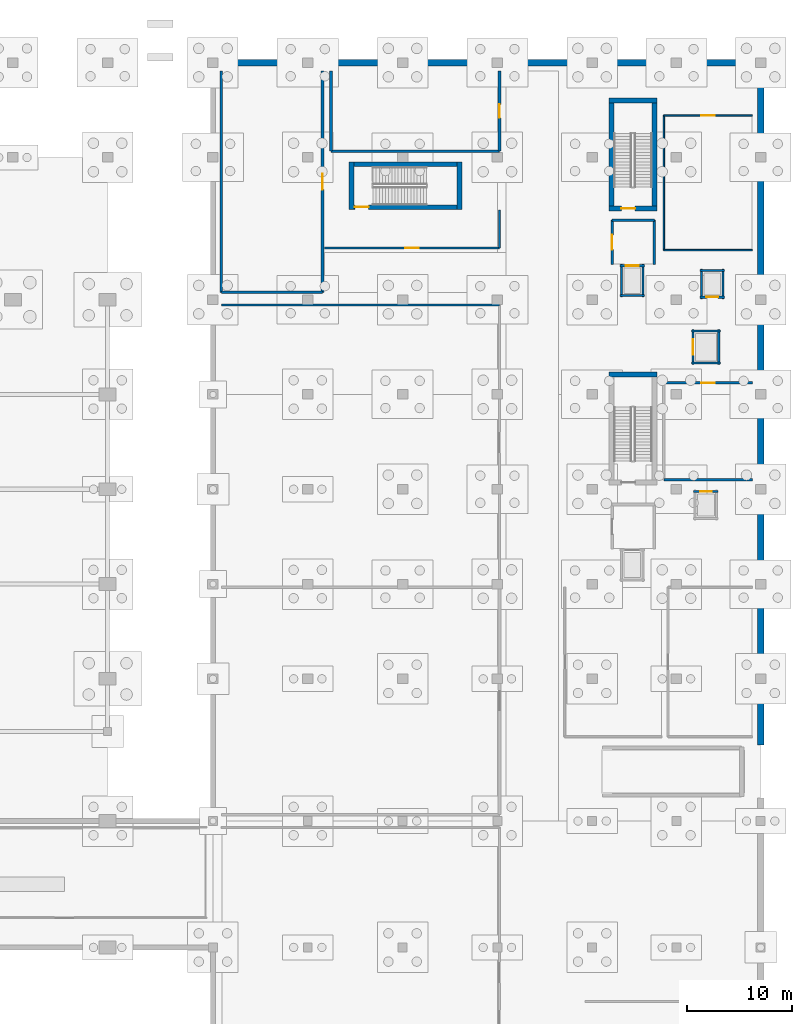
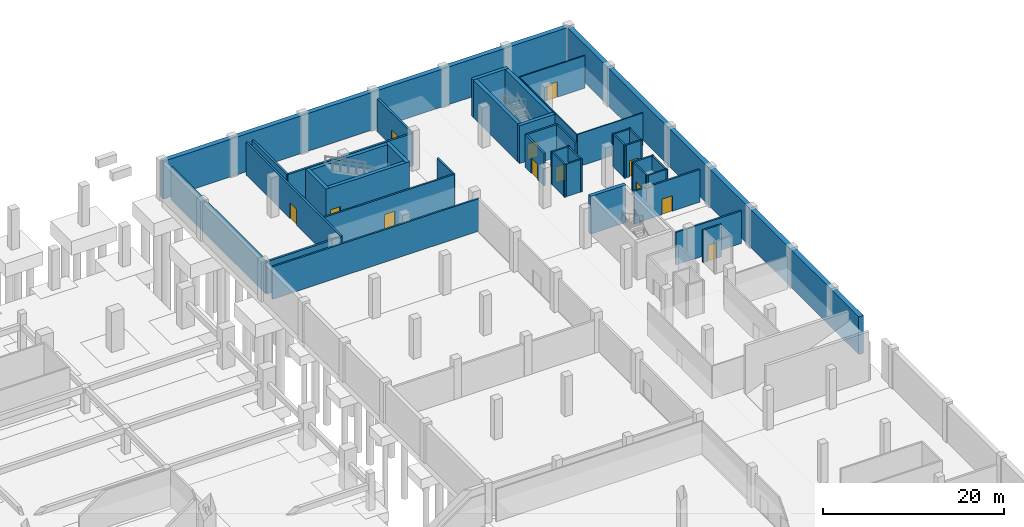
# One storey, part 16 of 26: 41 walls, 12 doors, 12 openings.
"""IFC4 building model written with IfcOpenShell, lengths in metres."""

import ifcopenshell
import ifcopenshell.guid

model = None  # the IFC model being written
_history = None  # IfcOwnerHistory: only IFC2X3 demands one
_inside = {}  # id of a spatial element -> (the spatial element, [elements in it])
_under = {}  # id of a project, library or spatial element -> (it, [spatial elements below it])
_declared = {}  # id of a project -> (the project, [libraries it declares])
_typed = {}  # id of a type object -> (the type object, [elements of that type])
_made_of = {}  # id of a material, layer set ... -> (it, [elements and type objects made of it])


def new_model(schema):
    """Start an empty IFC model of exactly this schema.

    Asked for "IFC4X3", IfcOpenShell would pick the latest addendum, in which some entities
    have other attributes; the version numbers below select the first issue.
    IFC2X3 requires an IfcOwnerHistory on every rooted entity: one is made here for all.
    """
    global model, _history
    if schema == "IFC4X3":
        model = ifcopenshell.file(schema_version=(4, 3, 0, 0))
    else:
        model = ifcopenshell.file(schema=schema)
    _inside.clear()
    _under.clear()
    _declared.clear()
    _typed.clear()
    _made_of.clear()
    _history = None
    if model.schema == "IFC2X3":
        org = make("IfcOrganization", Name="unknown")
        user = make(
            "IfcPersonAndOrganization",
            ThePerson=make("IfcPerson", FamilyName="unknown"),
            TheOrganization=org,
        )
        app = make(
            "IfcApplication",
            ApplicationDeveloper=org,
            Version="unknown",
            ApplicationFullName="unknown",
            ApplicationIdentifier="unknown",
        )
        _history = make(
            "IfcOwnerHistory",
            OwningUser=user,
            OwningApplication=app,
            ChangeAction="ADDED",
            CreationDate=0,
        )
    return model


def make(cls, **values):
    """One entity of the class cls with the attributes given. An attribute that is None is left unset."""
    return model.create_entity(
        cls, **{name: value for name, value in values.items() if value is not None}
    )


def rooted(cls, **values):
    """An entity with a GlobalId (a new one), such as an element, a storey or a relation."""
    return make(cls, GlobalId=ifcopenshell.guid.new(), OwnerHistory=_history, **values)


def si_unit(unit_type, name, prefix=None):
    """IfcSIUnit, for example si_unit("LENGTHUNIT", "METRE", prefix="MILLI")."""
    return make("IfcSIUnit", UnitType=unit_type, Prefix=prefix, Name=name)


def assignment(units):
    """IfcUnitAssignment: the units of a project."""
    return None if units is None else make("IfcUnitAssignment", Units=units)


def point(xyz):
    """IfcCartesianPoint."""
    return None if xyz is None else make("IfcCartesianPoint", Coordinates=xyz)


def direction(xyz):
    """IfcDirection."""
    return None if xyz is None else make("IfcDirection", DirectionRatios=xyz)


def frame(location, z_axis=None, x_axis=None):
    """IfcAxis2Placement3D, a coordinate frame: its origin and axes. An axis left out is left unset."""
    return make(
        "IfcAxis2Placement3D",
        Location=point(location),
        Axis=direction(z_axis),
        RefDirection=direction(x_axis),
    )


def frame_2d(location, x_axis=None):
    """IfcAxis2Placement2D, a coordinate frame in the plane: its origin and x axis."""
    return make(
        "IfcAxis2Placement2D", Location=point(location), RefDirection=direction(x_axis)
    )


def origin():
    """The frame at (0, 0, 0) with its axes left unset."""
    return frame((0.0, 0.0, 0.0))


def place(relative_to, where):
    """IfcLocalPlacement: puts the frame where relative to a parent placement (None: the world)."""
    return make(
        "IfcLocalPlacement", PlacementRelTo=relative_to, RelativePlacement=where
    )


def context(
    kind, dimensions, precision=None, world=None, true_north=None, identifier=None
):
    """IfcGeometricRepresentationContext, for example the 3D "Model" context."""
    return make(
        "IfcGeometricRepresentationContext",
        ContextIdentifier=identifier,
        ContextType=kind,
        CoordinateSpaceDimension=dimensions,
        Precision=precision,
        WorldCoordinateSystem=world,
        TrueNorth=true_north,
    )


def subcontext(parent, identifier, kind, view, scale=None):
    """IfcGeometricRepresentationSubContext, for example "Body" below "Model"."""
    return make(
        "IfcGeometricRepresentationSubContext",
        ContextIdentifier=identifier,
        ContextType=kind,
        ParentContext=parent,
        TargetScale=scale,
        TargetView=view,
    )


def project(units=None, contexts=None):
    """IfcProject with its units and contexts."""
    return rooted(
        "IfcProject",
        Name="project",
        RepresentationContexts=contexts,
        UnitsInContext=assignment(units),
    )


def spatial(cls, under=None, at=None, **own):
    """A site, building, storey or space (cls), placed at a placement, below another one or the project."""
    s = rooted(cls, ObjectPlacement=at, **own)
    if under is not None:
        _under.setdefault(under.id(), (under, []))[1].append(s)
    return s


def profile(cls, at=None, kind="AREA", **sizes):
    """A parametric profile (cls). Its sizes go by their IFC names, for example OverallWidth=200.0."""
    return make(cls, ProfileType=kind, Position=at, **sizes)


def rectangle(**sizes):
    """IfcRectangleProfileDef."""
    return profile("IfcRectangleProfileDef", **sizes)


def extrude(swept, where, along, depth):
    """IfcExtrudedAreaSolid: the profile swept, set in the frame where, extruded along a direction by depth."""
    return make(
        "IfcExtrudedAreaSolid",
        SweptArea=swept,
        Position=where,
        ExtrudedDirection=direction(along),
        Depth=depth,
    )


def shape(context_of_items, identifier, shape_type, items):
    """IfcShapeRepresentation: the items that make up one representation, for example the "Body"."""
    return make(
        "IfcShapeRepresentation",
        ContextOfItems=context_of_items,
        RepresentationIdentifier=identifier,
        RepresentationType=shape_type,
        Items=items,
    )


def material(Name=None, Category=None):
    """IfcMaterial."""
    return make("IfcMaterial", Name=Name, Category=Category)


def layer(
    of_material, thickness, ventilated=None, Name=None, Category=None, Priority=None
):
    """IfcMaterialLayer: one layer of a wall or slab, of a material (None: an air gap)."""
    return make(
        "IfcMaterialLayer",
        Material=of_material,
        LayerThickness=thickness,
        IsVentilated=ventilated,
        Name=Name,
        Category=Category,
        Priority=Priority,
    )


def layer_set(layers, Name=None):
    """IfcMaterialLayerSet."""
    return make("IfcMaterialLayerSet", MaterialLayers=layers, LayerSetName=Name)


def made_of(thing, what):
    """Note that an element or type object is made of a material, layer set ...; save() writes the relation."""
    if what is not None:
        _made_of.setdefault(what.id(), (what, []))[1].append(thing)
    return thing


def type_object(cls, material=None, **own):
    """A type object (cls), such as IfcWallType, which elements share."""
    return made_of(rooted(cls, **own), material)


def element(
    cls,
    number,
    at=None,
    inside=None,
    cuts=None,
    type_object=None,
    material=None,
    context=None,
    identifier="Body",
    shape_type=None,
    held_by="IfcProductDefinitionShape",
    body=None,
    shapes=None,
    **own,
):
    """One element of the class cls, such as IfcWall. Its Tag is "e" and its number.

    at: its placement. inside: the storey or other place that contains it. cuts: it is an
    opening in that element (IfcRelVoidsElement). A single representation is given by context,
    identifier, shape_type and body (its items); several are given by shapes. held_by: the class
    of the entity that holds the representations. save() writes the other relations.
    """
    e = rooted(cls, Tag="e%d" % number, ObjectPlacement=at, **own)
    if body is not None:
        shapes = [shape(context, identifier, shape_type, body)]
    if shapes is not None:
        e.Representation = make(held_by, Representations=shapes)
    if inside is not None:
        _inside.setdefault(inside.id(), (inside, []))[1].append(e)
    if cuts is not None:
        rooted(
            "IfcRelVoidsElement", RelatingBuildingElement=cuts, RelatedOpeningElement=e
        )
    if type_object is not None:
        _typed.setdefault(type_object.id(), (type_object, []))[1].append(e)
    return made_of(e, material)


def fill(opening, filler):
    """IfcRelFillsElement: the door or window that sits in an opening."""
    return rooted(
        "IfcRelFillsElement",
        RelatingOpeningElement=opening,
        RelatedBuildingElement=filler,
    )


def aggregate(whole, parts):
    """IfcRelAggregates: a whole, such as a stair, and the parts it consists of."""
    return rooted("IfcRelAggregates", RelatingObject=whole, RelatedObjects=parts)


def save(model, path):
    """Write the relations noted so far, then the file.

    IfcRelAggregates (storeys below a building ...), IfcRelContainedInSpatialStructure (elements
    in a storey), IfcRelDefinesByType, IfcRelAssociatesMaterial and IfcRelDeclares: one each for
    every whole, place, type object, material and project.
    """
    for whole, parts in _under.values():
        aggregate(whole, parts)
    for where, things in _inside.values():
        rooted(
            "IfcRelContainedInSpatialStructure",
            RelatedElements=things,
            RelatingStructure=where,
        )
    for kind, things in _typed.values():
        rooted("IfcRelDefinesByType", RelatedObjects=things, RelatingType=kind)
    for what, things in _made_of.values():
        rooted("IfcRelAssociatesMaterial", RelatedObjects=things, RelatingMaterial=what)
    for by, libraries in _declared.values():
        rooted("IfcRelDeclares", RelatingContext=by, RelatedDefinitions=libraries)
    model.write(path)


model = new_model("IFC4")

# Units and contexts
model_context = context("Model", 3, precision=1e-05, world=origin(), true_north=direction((0.0, 1.0)))
body_context = subcontext(model_context, "Body", "Model", "MODEL_VIEW")
ifc_project = project(units=[si_unit("LENGTHUNIT", "METRE"), si_unit("AREAUNIT", "SQUARE_METRE"), si_unit("VOLUMEUNIT", "CUBIC_METRE"), si_unit("PLANEANGLEUNIT", "RADIAN"), si_unit("MASSUNIT", "GRAM", prefix="KILO")], contexts=[model_context])

# Site, building, storey
site_placement = place(None, origin())
site = spatial("IfcSite", under=ifc_project, at=site_placement, CompositionType="ELEMENT")
building_placement = place(site_placement, origin())
building = spatial("IfcBuilding", under=site, at=building_placement, Name="Chuanluo Vaults Station", CompositionType="ELEMENT")
storey_placement = place(building_placement, frame((0.0, 0.0, -5.39990234375)))
storey = spatial("IfcBuildingStorey", under=building, at=storey_placement, Name="B1", CompositionType="ELEMENT", Elevation=-5.39990234375)

# Walls
ifc_material_1 = material(Name="Concrete C50", Category="concrete")
ifc_layer_1 = layer(ifc_material_1, 0.449951171875)
ifc_layer_set_1 = layer_set([ifc_layer_1], Name="Concrete C50")
wall_type_1 = type_object("IfcWallType", Name="WL-COR-450", PredefinedType="SHEAR", material=ifc_layer_set_1)
wall_1_placement = place(storey_placement, frame((178.137451171875, 96.3974609375, 0.0), z_axis=(0.0, 0.0, 1.0), x_axis=(-1.0, 0.0, 0.0)))
element("IfcWall", 1, at=wall_1_placement, inside=storey, type_object=wall_type_1, Name="Core K1 far shear wall", PredefinedType="SHEAR", context=body_context, shape_type="SweptSolid", body=[
    extrude(rectangle(XDim=4.52001953125, YDim=0.449951171875, at=frame_2d((2.260009765625, 0.0))), origin(), (0.0, 0.0, 1.0), 5.099853515625),
])
for number, where, z_axis, x_axis, name in (
    (2, (177.91259765625, 111.925048828125, 0.0), (0.0, 0.0, 1.0), (0.0, 1.0, 0.0), "Core K2 left shear wall"),
    (3, (173.842529296875, 122.62255859375, 0.0), (0.0, 0.0, 1.0), (0.0, -1.0, 0.0), "Core K2 right shear wall"),
):
    element("IfcWall", number, at=place(storey_placement, frame(where, z_axis=z_axis, x_axis=x_axis)), inside=storey, type_object=wall_type_1, Name=name, PredefinedType="SHEAR", context=body_context, shape_type="SweptSolid", body=[
        extrude(rectangle(XDim=10.697509765625, YDim=0.449951171875, at=frame_2d((5.3486328125, 0.0))), origin(), (0.0, 0.0, 1.0), 5.099853515625),
    ])
wall_2_placement = place(storey_placement, frame((178.137451171875, 122.3974609375, 0.0), z_axis=(0.0, 0.0, 1.0), x_axis=(-1.0, 0.0, 0.0)))
element("IfcWall", 4, at=wall_2_placement, inside=storey, type_object=wall_type_1, Name="Core K2 far shear wall", PredefinedType="SHEAR", context=body_context, shape_type="SweptSolid", body=[
    extrude(rectangle(XDim=4.52001953125, YDim=0.449951171875, at=frame_2d((2.260009765625, 0.0))), origin(), (0.0, 0.0, 1.0), 5.099853515625),
])

# Wall, opening, door
wall_3_placement = place(storey_placement, frame((173.617431640625, 112.14990234375, 0.0), z_axis=(0.0, 0.0, 1.0), x_axis=(1.0, 0.0, 0.0)))
wall_3 = element("IfcWall", 5, at=wall_3_placement, inside=storey, type_object=wall_type_1, Name="Core K2 near shear wall", PredefinedType="SHEAR", context=body_context, shape_type="SweptSolid", body=[
    extrude(rectangle(XDim=4.52001953125, YDim=0.449951171875, at=frame_2d((2.260009765625, 0.0))), origin(), (0.0, 0.0, 1.0), 5.099853515625),
])
opening_1_placement = place(wall_3_placement, frame((1.14990234375, 0.0, 0.0)))
opening_1 = element("IfcOpeningElement", 6, at=opening_1_placement, cuts=wall_3, Name="Opening FD-05", PredefinedType="OPENING", context=body_context, shape_type="SweptSolid", body=[
    extrude(rectangle(XDim=1.300048828125, YDim=2.10009765625, at=frame_2d((0.64990234375, 1.050048828125))), frame((0.0, 0.2351, 0.0), z_axis=(0.0, -1.0, 0.0), x_axis=(1.0, 0.0, 0.0)), (0.0, 0.0, 1.0), 0.46995),
])
ifc_material_2 = material(Name="Fire-rated steel leaf", Category="steel")
door_type_1 = type_object("IfcDoorType", Name="DR-FIR-1300x2100", OperationType="NOTDEFINED", PredefinedType="DOOR", material=ifc_material_2)
door_1_placement = place(opening_1_placement, origin())
door_1 = element("IfcDoor", 7, at=door_1_placement, inside=storey, type_object=door_type_1, Name="D-065 Stair ST-02 fire door", OperationType="SINGLE_SWING_RIGHT", OverallHeight=2.10009765625, OverallWidth=1.300048828125, PredefinedType="DOOR", context=body_context, shape_type="SweptSolid", body=[
    extrude(rectangle(XDim=1.300048828125, YDim=2.10009765625, at=frame_2d((0.64990234375, 1.050048828125))), frame((0.0, 0.02490234375, 0.0), z_axis=(0.0, -1.0, 0.0), x_axis=(1.0, 0.0, 0.0)), (0.0, 0.0, 1.0), 0.050048828125),
])
fill(opening_1, door_1)

wall_4_placement = place(storey_placement, frame((148.925048828125, 112.27490234375, 0.0), z_axis=(0.0, 0.0, 1.0), x_axis=(1.0, 0.0, 0.0)))
wall_4 = element("IfcWall", 8, at=wall_4_placement, inside=storey, type_object=wall_type_1, Name="Core K3 left shear wall", PredefinedType="SHEAR", context=body_context, shape_type="SweptSolid", body=[
    extrude(rectangle(XDim=10.697509765625, YDim=0.449951171875, at=frame_2d((5.3486328125, 0.0))), origin(), (0.0, 0.0, 1.0), 5.099853515625),
])
opening_2_placement = place(wall_4_placement, frame((0.550048828125, 0.0, 0.0)))
opening_2 = element("IfcOpeningElement", 9, at=opening_2_placement, cuts=wall_4, Name="Opening FD-05", PredefinedType="OPENING", context=body_context, shape_type="SweptSolid", body=[
    extrude(rectangle(XDim=1.300048828125, YDim=2.10009765625, at=frame_2d((0.64990234375, 1.050048828125))), frame((0.0, 0.2351, 0.0), z_axis=(0.0, -1.0, 0.0), x_axis=(1.0, 0.0, 0.0)), (0.0, 0.0, 1.0), 0.46995),
])
door_2_placement = place(opening_2_placement, origin())
door_2 = element("IfcDoor", 10, at=door_2_placement, inside=storey, type_object=door_type_1, Name="D-072 Stair ST-03 fire door", OperationType="SINGLE_SWING_LEFT", OverallHeight=2.10009765625, OverallWidth=1.300048828125, PredefinedType="DOOR", context=body_context, shape_type="SweptSolid", body=[
    extrude(rectangle(XDim=1.300048828125, YDim=2.10009765625, at=frame_2d((0.64990234375, 1.050048828125))), frame((0.0, 0.02490234375, 0.0), z_axis=(0.0, -1.0, 0.0), x_axis=(1.0, 0.0, 0.0)), (0.0, 0.0, 1.0), 0.050048828125),
])
fill(opening_2, door_2)

# Walls
wall_5_placement = place(storey_placement, frame((159.62255859375, 116.344970703125, 0.0), z_axis=(0.0, 0.0, 1.0), x_axis=(-1.0, 0.0, 0.0)))
element("IfcWall", 11, at=wall_5_placement, inside=storey, type_object=wall_type_1, Name="Core K3 right shear wall", PredefinedType="SHEAR", context=body_context, shape_type="SweptSolid", body=[
    extrude(rectangle(XDim=10.697509765625, YDim=0.449951171875, at=frame_2d((5.3486328125, 0.0))), origin(), (0.0, 0.0, 1.0), 5.099853515625),
])
for number, where, z_axis, x_axis, name in (
    (12, (159.3974609375, 112.050048828125, 0.0), (0.0, 0.0, 1.0), (0.0, 1.0, 0.0), "Core K3 far shear wall"),
    (13, (149.14990234375, 116.570068359375, 0.0), (0.0, 0.0, 1.0), (0.0, -1.0, 0.0), "Core K3 near shear wall"),
):
    element("IfcWall", number, at=place(storey_placement, frame(where, z_axis=z_axis, x_axis=x_axis)), inside=storey, type_object=wall_type_1, Name=name, PredefinedType="SHEAR", context=body_context, shape_type="SweptSolid", body=[
        extrude(rectangle(XDim=4.52001953125, YDim=0.449951171875, at=frame_2d((2.260009765625, 0.0))), origin(), (0.0, 0.0, 1.0), 5.099853515625),
    ])
ifc_material_3 = material(Name="Concrete C40", Category="concrete")
ifc_layer_2 = layer(ifc_material_3, 0.219970703125)
ifc_layer_set_2 = layer_set([ifc_layer_2], Name="Concrete C40")
wall_type_2 = type_object("IfcWallType", Name="WL-FIR-220", PredefinedType="SOLIDWALL", material=ifc_layer_set_2)
wall_6_placement = place(storey_placement, frame((136.800048828125, 103.0, 0.0), z_axis=(0.0, 0.0, 1.0), x_axis=(1.0, 0.0, 0.0)))
element("IfcWall", 14, at=wall_6_placement, inside=storey, type_object=wall_type_2, Name="B1-09 District Chiller Plant Room N partition", PredefinedType="SOLIDWALL", context=body_context, shape_type="SweptSolid", body=[
    extrude(rectangle(XDim=26.39990234375, YDim=0.219970703125, at=frame_2d((13.199951171875, 0.0))), origin(), (0.0, 0.0, 1.0), 4.39990234375),
])
wall_7_placement = place(storey_placement, frame((187.199951171875, 86.39990234375, 0.0), z_axis=(0.0, 0.0, 1.0), x_axis=(-1.0, 0.0, 0.0)))
element("IfcWall", 15, at=wall_7_placement, inside=storey, type_object=wall_type_2, Name="B1-20 Uninterruptible Power Battery Room S partition", PredefinedType="SOLIDWALL", context=body_context, shape_type="SweptSolid", body=[
    extrude(rectangle(XDim=8.39990234375, YDim=0.219970703125, at=frame_2d((4.199951171875, 0.0))), origin(), (0.0, 0.0, 1.0), 4.39990234375),
])

# Wall, opening, door
wall_8_placement = place(storey_placement, frame((178.800048828125, 95.60009765625, 0.0), z_axis=(0.0, 0.0, 1.0), x_axis=(1.0, 0.0, 0.0)))
wall_8 = element("IfcWall", 16, at=wall_8_placement, inside=storey, type_object=wall_type_2, Name="B1-20 Uninterruptible Power Battery Room N partition", PredefinedType="SOLIDWALL", context=body_context, shape_type="SweptSolid", body=[
    extrude(rectangle(XDim=8.39990234375, YDim=0.219970703125, at=frame_2d((4.199951171875, 0.0))), origin(), (0.0, 0.0, 1.0), 4.39990234375),
])
opening_3_placement = place(wall_8_placement, frame((3.550048828125, 0.0, 0.0)))
opening_3 = element("IfcOpeningElement", 17, at=opening_3_placement, cuts=wall_8, Name="Opening FD-05", PredefinedType="OPENING", context=body_context, shape_type="SweptSolid", body=[
    extrude(rectangle(XDim=1.300048828125, YDim=2.10009765625, at=frame_2d((0.64990234375, 1.050048828125))), frame((0.0, 0.11986, 0.0), z_axis=(0.0, -1.0, 0.0), x_axis=(1.0, 0.0, 0.0)), (0.0, 0.0, 1.0), 0.23997),
])
door_3_placement = place(opening_3_placement, origin())
door_3 = element("IfcDoor", 18, at=door_3_placement, inside=storey, type_object=door_type_1, Name="D-147 Uninterruptible Power Battery Room door", OperationType="SINGLE_SWING_RIGHT", OverallHeight=2.10009765625, OverallWidth=1.300048828125, PredefinedType="DOOR", context=body_context, shape_type="SweptSolid", body=[
    extrude(rectangle(XDim=1.300048828125, YDim=2.10009765625, at=frame_2d((0.64990234375, 1.050048828125))), frame((0.0, 0.02490234375, 0.0), z_axis=(0.0, -1.0, 0.0), x_axis=(1.0, 0.0, 0.0)), (0.0, 0.0, 1.0), 0.050048828125),
])
fill(opening_3, door_3)

wall_9_placement = place(storey_placement, frame((163.199951171875, 108.39990234375, 0.0), z_axis=(0.0, 0.0, 1.0), x_axis=(-1.0, 0.0, 0.0)))
wall_9 = element("IfcWall", 19, at=wall_9_placement, inside=storey, type_object=wall_type_2, Name="B1-22 Basement Fire Water Reservoir Hall S partition", PredefinedType="SOLIDWALL", context=body_context, shape_type="SweptSolid", body=[
    extrude(rectangle(XDim=16.599853515625, YDim=0.219970703125, at=frame_2d((8.2998046875, 0.0))), origin(), (0.0, 0.0, 1.0), 4.39990234375),
])
opening_4_placement = place(wall_9_placement, frame((7.64990234375, 0.0, 0.0)))
opening_4 = element("IfcOpeningElement", 20, at=opening_4_placement, cuts=wall_9, Name="Opening FD-05", PredefinedType="OPENING", context=body_context, shape_type="SweptSolid", body=[
    extrude(rectangle(XDim=1.300048828125, YDim=2.10009765625, at=frame_2d((0.64990234375, 1.050048828125))), frame((0.0, 0.11986, 0.0), z_axis=(0.0, -1.0, 0.0), x_axis=(1.0, 0.0, 0.0)), (0.0, 0.0, 1.0), 0.23997),
])
door_4_placement = place(opening_4_placement, origin())
door_4 = element("IfcDoor", 21, at=door_4_placement, inside=storey, type_object=door_type_1, Name="D-148 Basement Fire Water Reservoir Hall door", OperationType="SINGLE_SWING_LEFT", OverallHeight=2.10009765625, OverallWidth=1.300048828125, PredefinedType="DOOR", context=body_context, shape_type="SweptSolid", body=[
    extrude(rectangle(XDim=1.300048828125, YDim=2.10009765625, at=frame_2d((0.64990234375, 1.050048828125))), frame((0.0, 0.02490234375, 0.0), z_axis=(0.0, -1.0, 0.0), x_axis=(1.0, 0.0, 0.0)), (0.0, 0.0, 1.0), 0.050048828125),
])
fill(opening_4, door_4)

# Walls
wall_10_placement = place(storey_placement, frame((163.199951171875, 112.0, 0.0), z_axis=(0.0, 0.0, 1.0), x_axis=(0.0, -1.0, 0.0)))
element("IfcWall", 22, at=wall_10_placement, inside=storey, type_object=wall_type_2, Name="B1-22 Basement Fire Water Reservoir Hall E partition", PredefinedType="SOLIDWALL", context=body_context, shape_type="SweptSolid", body=[
    extrude(rectangle(XDim=3.60009765625, YDim=0.219970703125, at=frame_2d((1.800048828125, 0.0))), origin(), (0.0, 0.0, 1.0), 4.39990234375),
])
wall_11_placement = place(storey_placement, frame((173.89990234375, 111.050048828125, 0.0), z_axis=(0.0, 0.0, 1.0), x_axis=(1.0, 0.0, 0.0)))
element("IfcWall", 23, at=wall_11_placement, inside=storey, type_object=wall_type_2, Name="B1-FFL-K2 Firefighting Lift Lobby FFL-02 B1 N partition", PredefinedType="SOLIDWALL", context=body_context, shape_type="SweptSolid", body=[
    extrude(rectangle(XDim=4.0, YDim=0.219970703125, at=frame_2d((2.0, 0.0))), origin(), (0.0, 0.0, 1.0), 4.39990234375),
])

# Wall, opening, door
wall_12_placement = place(storey_placement, frame((173.89990234375, 106.85009765625, 0.0), z_axis=(0.0, 0.0, 1.0), x_axis=(0.0, 1.0, 0.0)))
wall_12 = element("IfcWall", 24, at=wall_12_placement, inside=storey, type_object=wall_type_2, Name="B1-FFL-K2 Firefighting Lift Lobby FFL-02 B1 W partition", PredefinedType="SOLIDWALL", context=body_context, shape_type="SweptSolid", body=[
    extrude(rectangle(XDim=4.199951171875, YDim=0.219970703125, at=frame_2d((2.10009765625, 0.0))), origin(), (0.0, 0.0, 1.0), 4.39990234375),
])
opening_5_placement = place(wall_12_placement, frame((1.39990234375, 0.0, 0.0)))
opening_5 = element("IfcOpeningElement", 25, at=opening_5_placement, cuts=wall_12, Name="Opening FD-04", PredefinedType="OPENING", context=body_context, shape_type="SweptSolid", body=[
    extrude(rectangle(XDim=1.39990234375, YDim=2.10009765625, at=frame_2d((0.699951171875, 1.050048828125))), frame((0.0, 0.11986, 0.0), z_axis=(0.0, -1.0, 0.0), x_axis=(1.0, 0.0, 0.0)), (0.0, 0.0, 1.0), 0.23997),
])
ifc_material_4 = material(Name="Fire-rated steel leaf", Category="steel")
door_type_2 = type_object("IfcDoorType", Name="DR-FIR-1400x2100", OperationType="NOTDEFINED", PredefinedType="DOOR", material=ifc_material_4)
door_5_placement = place(opening_5_placement, origin())
door_5 = element("IfcDoor", 26, at=door_5_placement, inside=storey, type_object=door_type_2, Name="D-274 Firefighting Lift Lobby FFL-02 B1 door", OperationType="SINGLE_SWING_LEFT", OverallHeight=2.10009765625, OverallWidth=1.39990234375, PredefinedType="DOOR", context=body_context, shape_type="SweptSolid", body=[
    extrude(rectangle(XDim=1.39990234375, YDim=2.10009765625, at=frame_2d((0.699951171875, 1.050048828125))), frame((0.0, 0.02490234375, 0.0), z_axis=(0.0, -1.0, 0.0), x_axis=(1.0, 0.0, 0.0)), (0.0, 0.0, 1.0), 0.050048828125),
])
fill(opening_5, door_5)

# Walls
wall_13_placement = place(storey_placement, frame((177.89990234375, 111.050048828125, 0.0), z_axis=(0.0, 0.0, 1.0), x_axis=(0.0, -1.0, 0.0)))
element("IfcWall", 27, at=wall_13_placement, inside=storey, type_object=wall_type_2, Name="B1-FFL-K2 Firefighting Lift Lobby FFL-02 B1 E partition", PredefinedType="SOLIDWALL", context=body_context, shape_type="SweptSolid", body=[
    extrude(rectangle(XDim=4.199951171875, YDim=0.219970703125, at=frame_2d((2.10009765625, 0.0))), origin(), (0.0, 0.0, 1.0), 4.39990234375),
])
ifc_material_5 = material(Name="Concrete C40", Category="concrete")
ifc_layer_3 = layer(ifc_material_5, 0.25)
ifc_layer_set_3 = layer_set([ifc_layer_3], Name="Concrete C40")
wall_type_3 = type_object("IfcWallType", Name="WL-FIR-250", PredefinedType="SOLIDWALL", material=ifc_layer_set_3)
wall_14_placement = place(storey_placement, frame((146.39990234375, 104.199951171875, 0.0), z_axis=(0.0, 0.0, 1.0), x_axis=(-1.0, 0.0, 0.0)))
element("IfcWall", 28, at=wall_14_placement, inside=storey, type_object=wall_type_3, Name="B1-10 Sprinkler and Fire Pump Room S partition", PredefinedType="SOLIDWALL", context=body_context, shape_type="SweptSolid", body=[
    extrude(rectangle(XDim=9.599853515625, YDim=0.25, at=frame_2d((4.7998046875, 0.0))), origin(), (0.0, 0.0, 1.0), 4.39990234375),
])
wall_15_placement = place(storey_placement, frame((136.800048828125, 104.199951171875, 0.0), z_axis=(0.0, 0.0, 1.0), x_axis=(0.0, 1.0, 0.0)))
element("IfcWall", 29, at=wall_15_placement, inside=storey, type_object=wall_type_3, Name="B1-10 Sprinkler and Fire Pump Room W partition", PredefinedType="SOLIDWALL", context=body_context, shape_type="SweptSolid", body=[
    extrude(rectangle(XDim=21.0, YDim=0.25, at=frame_2d((10.5, 0.0))), origin(), (0.0, 0.0, 1.0), 4.39990234375),
])

# Wall, opening, door
wall_16_placement = place(storey_placement, frame((146.39990234375, 125.199951171875, 0.0), z_axis=(0.0, 0.0, 1.0), x_axis=(0.0, -1.0, 0.0)))
wall_16 = element("IfcWall", 30, at=wall_16_placement, inside=storey, type_object=wall_type_3, Name="B1-10 Sprinkler and Fire Pump Room E partition", PredefinedType="SOLIDWALL", context=body_context, shape_type="SweptSolid", body=[
    extrude(rectangle(XDim=21.0, YDim=0.25, at=frame_2d((10.5, 0.0))), origin(), (0.0, 0.0, 1.0), 4.39990234375),
])
opening_6_placement = place(wall_16_placement, frame((9.75, 0.0, 0.0)))
opening_6 = element("IfcOpeningElement", 31, at=opening_6_placement, cuts=wall_16, Name="Opening FD-03", PredefinedType="OPENING", context=body_context, shape_type="SweptSolid", body=[
    extrude(rectangle(XDim=1.5, YDim=2.14990234375, at=frame_2d((0.75, 1.074951171875))), frame((0.0, 0.135, 0.0), z_axis=(0.0, -1.0, 0.0), x_axis=(1.0, 0.0, 0.0)), (0.0, 0.0, 1.0), 0.27),
])
ifc_material_6 = material(Name="Fire-rated steel leaf", Category="steel")
door_type_3 = type_object("IfcDoorType", Name="DR-FIR-1500x2150", OperationType="NOTDEFINED", PredefinedType="DOOR", material=ifc_material_6)
door_6_placement = place(opening_6_placement, origin())
door_6 = element("IfcDoor", 32, at=door_6_placement, inside=storey, type_object=door_type_3, Name="D-139 Sprinkler and Fire Pump Room door", OperationType="SINGLE_SWING_RIGHT", OverallHeight=2.14990234375, OverallWidth=1.5, PredefinedType="DOOR", context=body_context, shape_type="SweptSolid", body=[
    extrude(rectangle(XDim=1.5, YDim=2.14990234375, at=frame_2d((0.75, 1.074951171875))), frame((0.0, 0.02490234375, 0.0), z_axis=(0.0, -1.0, 0.0), x_axis=(1.0, 0.0, 0.0)), (0.0, 0.0, 1.0), 0.050048828125),
])
fill(opening_6, door_6)

# Walls
wall_17_placement = place(storey_placement, frame((163.199951171875, 117.60009765625, 0.0), z_axis=(0.0, 0.0, 1.0), x_axis=(-1.0, 0.0, 0.0)))
element("IfcWall", 33, at=wall_17_placement, inside=storey, type_object=wall_type_3, Name="B1-22B Basement North Signalling Cable Vault S partition", PredefinedType="SOLIDWALL", context=body_context, shape_type="SweptSolid", body=[
    extrude(rectangle(XDim=16.0, YDim=0.25, at=frame_2d((8.0, 0.0))), origin(), (0.0, 0.0, 1.0), 4.39990234375),
])
wall_18_placement = place(storey_placement, frame((147.199951171875, 117.60009765625, 0.0), z_axis=(0.0, 0.0, 1.0), x_axis=(0.0, 1.0, 0.0)))
element("IfcWall", 34, at=wall_18_placement, inside=storey, type_object=wall_type_3, Name="B1-22B Basement North Signalling Cable Vault W partition", PredefinedType="SOLIDWALL", context=body_context, shape_type="SweptSolid", body=[
    extrude(rectangle(XDim=7.599853515625, YDim=0.25, at=frame_2d((3.7998046875, 0.0))), origin(), (0.0, 0.0, 1.0), 4.39990234375),
])

# Wall, opening, door
wall_19_placement = place(storey_placement, frame((163.199951171875, 125.199951171875, 0.0), z_axis=(0.0, 0.0, 1.0), x_axis=(0.0, -1.0, 0.0)))
wall_19 = element("IfcWall", 35, at=wall_19_placement, inside=storey, type_object=wall_type_3, Name="B1-22B Basement North Signalling Cable Vault E partition", PredefinedType="SOLIDWALL", context=body_context, shape_type="SweptSolid", body=[
    extrude(rectangle(XDim=7.599853515625, YDim=0.25, at=frame_2d((3.7998046875, 0.0))), origin(), (0.0, 0.0, 1.0), 4.39990234375),
])
opening_7_placement = place(wall_19_placement, frame((3.14990234375, 0.0, 0.0)))
opening_7 = element("IfcOpeningElement", 36, at=opening_7_placement, cuts=wall_19, Name="Opening FD-05", PredefinedType="OPENING", context=body_context, shape_type="SweptSolid", body=[
    extrude(rectangle(XDim=1.300048828125, YDim=2.10009765625, at=frame_2d((0.64990234375, 1.050048828125))), frame((0.0, 0.135, 0.0), z_axis=(0.0, -1.0, 0.0), x_axis=(1.0, 0.0, 0.0)), (0.0, 0.0, 1.0), 0.27),
])
door_7_placement = place(opening_7_placement, origin())
door_7 = element("IfcDoor", 37, at=door_7_placement, inside=storey, type_object=door_type_1, Name="D-149 Basement North Signalling Cable Vault door", OperationType="SINGLE_SWING_RIGHT", OverallHeight=2.10009765625, OverallWidth=1.300048828125, PredefinedType="DOOR", context=body_context, shape_type="SweptSolid", body=[
    extrude(rectangle(XDim=1.300048828125, YDim=2.10009765625, at=frame_2d((0.64990234375, 1.050048828125))), frame((0.0, 0.02490234375, 0.0), z_axis=(0.0, -1.0, 0.0), x_axis=(1.0, 0.0, 0.0)), (0.0, 0.0, 1.0), 0.050048828125),
])
fill(opening_7, door_7)

# Wall
ifc_material_7 = material(Name="Autoclaved aerated concrete blockwork MU10", Category="masonry")
ifc_layer_4 = layer(ifc_material_7, 0.139892578125)
ifc_layer_set_4 = layer_set([ifc_layer_4], Name="Autoclaved aerated concrete blockwork MU10")
wall_type_4 = type_object("IfcWallType", Name="WL-PRT-140", PredefinedType="PARTITIONING", material=ifc_layer_set_4)
wall_20_placement = place(storey_placement, frame((187.199951171875, 108.199951171875, 0.0), z_axis=(0.0, 0.0, 1.0), x_axis=(-1.0, 0.0, 0.0)))
element("IfcWall", 38, at=wall_20_placement, inside=storey, type_object=wall_type_4, Name="B1-23 East Baggage Transfer Store S partition", PredefinedType="PARTITIONING", context=body_context, shape_type="SweptSolid", body=[
    extrude(rectangle(XDim=8.39990234375, YDim=0.139892578125, at=frame_2d((4.199951171875, 0.0))), origin(), (0.0, 0.0, 1.0), 4.39990234375),
])

# Wall, opening, door
wall_21_placement = place(storey_placement, frame((178.800048828125, 121.0, 0.0), z_axis=(0.0, 0.0, 1.0), x_axis=(1.0, 0.0, 0.0)))
wall_21 = element("IfcWall", 39, at=wall_21_placement, inside=storey, type_object=wall_type_4, Name="B1-23 East Baggage Transfer Store N partition", PredefinedType="PARTITIONING", context=body_context, shape_type="SweptSolid", body=[
    extrude(rectangle(XDim=8.39990234375, YDim=0.139892578125, at=frame_2d((4.199951171875, 0.0))), origin(), (0.0, 0.0, 1.0), 4.39990234375),
])
opening_8_placement = place(wall_21_placement, frame((3.550048828125, 0.0, 0.0)))
opening_8 = element("IfcOpeningElement", 40, at=opening_8_placement, cuts=wall_21, Name="Opening FD-05", PredefinedType="OPENING", context=body_context, shape_type="SweptSolid", body=[
    extrude(rectangle(XDim=1.300048828125, YDim=2.10009765625, at=frame_2d((0.64990234375, 1.050048828125))), frame((0.0, 0.07982, 0.0), z_axis=(0.0, -1.0, 0.0), x_axis=(1.0, 0.0, 0.0)), (0.0, 0.0, 1.0), 0.15989),
])
door_8_placement = place(opening_8_placement, origin())
door_8 = element("IfcDoor", 41, at=door_8_placement, inside=storey, type_object=door_type_1, Name="D-150 East Baggage Transfer Store door", OperationType="SINGLE_SWING_LEFT", OverallHeight=2.10009765625, OverallWidth=1.300048828125, PredefinedType="DOOR", context=body_context, shape_type="SweptSolid", body=[
    extrude(rectangle(XDim=1.300048828125, YDim=2.10009765625, at=frame_2d((0.64990234375, 1.050048828125))), frame((0.0, 0.02490234375, 0.0), z_axis=(0.0, -1.0, 0.0), x_axis=(1.0, 0.0, 0.0)), (0.0, 0.0, 1.0), 0.050048828125),
])
fill(opening_8, door_8)

# Walls
wall_22_placement = place(storey_placement, frame((178.800048828125, 108.199951171875, 0.0), z_axis=(0.0, 0.0, 1.0), x_axis=(0.0, 1.0, 0.0)))
element("IfcWall", 42, at=wall_22_placement, inside=storey, type_object=wall_type_4, Name="B1-23 East Baggage Transfer Store W partition", PredefinedType="PARTITIONING", context=body_context, shape_type="SweptSolid", body=[
    extrude(rectangle(XDim=12.800048828125, YDim=0.139892578125, at=frame_2d((6.39990234375, 0.0))), origin(), (0.0, 0.0, 1.0), 4.39990234375),
])
ifc_material_8 = material(Name="Concrete C40", Category="concrete")
ifc_layer_5 = layer(ifc_material_8, 0.60009765625)
ifc_layer_set_5 = layer_set([ifc_layer_5], Name="Concrete C40")
wall_type_5 = type_object("IfcWallType", Name="WL-RET-600", PredefinedType="USERDEFINED", material=ifc_layer_set_5)
wall_23_placement = place(storey_placement, frame((188.0, 61.199951171875, 0.0), z_axis=(0.0, 0.0, 1.0), x_axis=(0.0, 1.0, 0.0)))
element("IfcWall", 43, at=wall_23_placement, inside=storey, type_object=wall_type_5, Name="Basement perimeter retaining wall 03", ObjectType="RETAININGWALL", PredefinedType="USERDEFINED", context=body_context, shape_type="SweptSolid", body=[
    extrude(rectangle(XDim=64.800048828125, YDim=0.60009765625, at=frame_2d((32.39990234375, 0.0))), origin(), (0.0, 0.0, 1.0), 5.099853515625),
])
wall_24_placement = place(storey_placement, frame((188.0, 126.0, 0.0), z_axis=(0.0, 0.0, 1.0), x_axis=(-1.0, 0.0, 0.0)))
element("IfcWall", 44, at=wall_24_placement, inside=storey, type_object=wall_type_5, Name="Basement perimeter retaining wall 04", ObjectType="RETAININGWALL", PredefinedType="USERDEFINED", context=body_context, shape_type="SweptSolid", body=[
    extrude(rectangle(XDim=52.0, YDim=0.60009765625, at=frame_2d((26.0, 0.0))), origin(), (0.0, 0.0, 1.0), 5.099853515625),
])
ifc_material_9 = material(Name="Concrete C40", Category="concrete")
ifc_layer_6 = layer(ifc_material_9, 0.199951171875)
ifc_layer_set_6 = layer_set([ifc_layer_6], Name="Concrete C40")
wall_type_6 = type_object("IfcWallType", Name="WL-SHF-200", PredefinedType="SOLIDWALL", material=ifc_layer_set_6)
wall_25_placement = place(storey_placement, frame((174.6298828125, 103.8798828125, 0.0), z_axis=(0.0, 0.0, 1.0), x_axis=(1.0, 0.0, 0.0)))
element("IfcWall", 45, at=wall_25_placement, inside=storey, type_object=wall_type_6, Name="Lift FFL-02 shaft wall B1 -Y", PredefinedType="SOLIDWALL", context=body_context, shape_type="SweptSolid", body=[
    extrude(rectangle(XDim=2.340087890625, YDim=0.199951171875, at=frame_2d((1.169921875, 0.0))), origin(), (0.0, 0.0, 1.0), 4.39990234375),
])

# Wall, opening, door
wall_26_placement = place(storey_placement, frame((176.969970703125, 106.719970703125, 0.0), z_axis=(0.0, 0.0, 1.0), x_axis=(-1.0, 0.0, 0.0)))
wall_26 = element("IfcWall", 46, at=wall_26_placement, inside=storey, type_object=wall_type_6, Name="Lift FFL-02 shaft wall B1 +Y", PredefinedType="SOLIDWALL", context=body_context, shape_type="SweptSolid", body=[
    extrude(rectangle(XDim=2.340087890625, YDim=0.199951171875, at=frame_2d((1.169921875, 0.0))), origin(), (0.0, 0.0, 1.0), 4.39990234375),
])
opening_9_placement = place(wall_26_placement, frame((0.570068359375, 0.0, 0.0)))
opening_9 = element("IfcOpeningElement", 47, at=opening_9_placement, cuts=wall_26, Name="Opening LD-02", PredefinedType="OPENING", context=body_context, shape_type="SweptSolid", body=[
    extrude(rectangle(XDim=1.199951171875, YDim=2.14990234375, at=frame_2d((0.60009765625, 1.074951171875))), frame((0.0, 0.1101, 0.0), z_axis=(0.0, -1.0, 0.0), x_axis=(1.0, 0.0, 0.0)), (0.0, 0.0, 1.0), 0.21995),
])
ifc_material_10 = material(Name="Brushed stainless steel 304", Category="steel")
door_type_4 = type_object("IfcDoorType", Name="DR-LFT-1200x2150", OperationType="SLIDING_TO_LEFT", PredefinedType="DOOR", material=ifc_material_10)
door_9_placement = place(opening_9_placement, origin())
door_9 = element("IfcDoor", 48, at=door_9_placement, inside=storey, type_object=door_type_4, Name="LD-FFL-02-01 Lift FFL-02 sliding landing door B1", OperationType="SLIDING_TO_LEFT", OverallHeight=2.14990234375, OverallWidth=1.199951171875, PredefinedType="DOOR", context=body_context, shape_type="SweptSolid", body=[
    extrude(rectangle(XDim=1.199951171875, YDim=2.14990234375, at=frame_2d((0.60009765625, 1.074951171875))), frame((0.0, 0.02490234375, 0.0), z_axis=(0.0, -1.0, 0.0), x_axis=(1.0, 0.0, 0.0)), (0.0, 0.0, 1.0), 0.050048828125),
])
fill(opening_9, door_9)

# Walls
for number, where, z_axis, x_axis, name in (
    (49, (174.780029296875, 106.8701171875, 0.0), (0.0, 0.0, 1.0), (0.0, -1.0, 0.0), "Lift FFL-02 shaft wall B1 -X"),
    (50, (176.820068359375, 103.72998046875, 0.0), (0.0, 0.0, 1.0), (0.0, 1.0, 0.0), "Lift FFL-02 shaft wall B1 +X"),
):
    element("IfcWall", number, at=place(storey_placement, frame(where, z_axis=z_axis, x_axis=x_axis)), inside=storey, type_object=wall_type_6, Name=name, PredefinedType="SOLIDWALL", context=body_context, shape_type="SweptSolid", body=[
        extrude(rectangle(XDim=3.14013671875, YDim=0.199951171875, at=frame_2d((1.570068359375, 0.0))), origin(), (0.0, 0.0, 1.0), 4.39990234375),
    ])

# Wall, opening, door
wall_27_placement = place(storey_placement, frame((183.969970703125, 85.27001953125, 0.0), z_axis=(0.0, 0.0, 1.0), x_axis=(-1.0, 0.0, 0.0)))
wall_27 = element("IfcWall", 51, at=wall_27_placement, inside=storey, type_object=wall_type_6, Name="Lift EL-03 shaft wall B1 +Y", PredefinedType="SOLIDWALL", context=body_context, shape_type="SweptSolid", body=[
    extrude(rectangle(XDim=2.340087890625, YDim=0.199951171875, at=frame_2d((1.169921875, 0.0))), origin(), (0.0, 0.0, 1.0), 4.39990234375),
])
opening_10_placement = place(wall_27_placement, frame((0.6201171875, 0.0, 0.0)))
opening_10 = element("IfcOpeningElement", 52, at=opening_10_placement, cuts=wall_27, Name="Opening LD-01", PredefinedType="OPENING", context=body_context, shape_type="SweptSolid", body=[
    extrude(rectangle(XDim=1.10009765625, YDim=2.14990234375, at=frame_2d((0.550048828125, 1.074951171875))), frame((0.0, 0.1101, 0.0), z_axis=(0.0, -1.0, 0.0), x_axis=(1.0, 0.0, 0.0)), (0.0, 0.0, 1.0), 0.21995),
])
ifc_material_11 = material(Name="Brushed stainless steel 304", Category="steel")
door_type_5 = type_object("IfcDoorType", Name="DR-LFT-1100x2150", OperationType="SLIDING_TO_LEFT", PredefinedType="DOOR", material=ifc_material_11)
door_10_placement = place(opening_10_placement, origin())
door_10 = element("IfcDoor", 53, at=door_10_placement, inside=storey, type_object=door_type_5, Name="LD-EL-03-01 Lift EL-03 sliding landing door B1", OperationType="SLIDING_TO_LEFT", OverallHeight=2.14990234375, OverallWidth=1.10009765625, PredefinedType="DOOR", context=body_context, shape_type="SweptSolid", body=[
    extrude(rectangle(XDim=1.10009765625, YDim=2.14990234375, at=frame_2d((0.550048828125, 1.074951171875))), frame((0.0, 0.02490234375, 0.0), z_axis=(0.0, -1.0, 0.0), x_axis=(1.0, 0.0, 0.0)), (0.0, 0.0, 1.0), 0.050048828125),
])
fill(opening_10, door_10)

wall_28_placement = place(storey_placement, frame((182.22998046875, 103.72998046875, 0.0), z_axis=(0.0, 0.0, 1.0), x_axis=(1.0, 0.0, 0.0)))
wall_28 = element("IfcWall", 54, at=wall_28_placement, inside=storey, type_object=wall_type_6, Name="Lift EL-04 shaft wall B1 -Y", PredefinedType="SOLIDWALL", context=body_context, shape_type="SweptSolid", body=[
    extrude(rectangle(XDim=2.340087890625, YDim=0.199951171875, at=frame_2d((1.169921875, 0.0))), origin(), (0.0, 0.0, 1.0), 4.39990234375),
])
opening_11_placement = place(wall_28_placement, frame((0.6201171875, 0.0, 0.0)))
opening_11 = element("IfcOpeningElement", 55, at=opening_11_placement, cuts=wall_28, Name="Opening LD-01", PredefinedType="OPENING", context=body_context, shape_type="SweptSolid", body=[
    extrude(rectangle(XDim=1.10009765625, YDim=2.14990234375, at=frame_2d((0.550048828125, 1.074951171875))), frame((0.0, 0.1101, 0.0), z_axis=(0.0, -1.0, 0.0), x_axis=(1.0, 0.0, 0.0)), (0.0, 0.0, 1.0), 0.21995),
])
door_11_placement = place(opening_11_placement, origin())
door_11 = element("IfcDoor", 56, at=door_11_placement, inside=storey, type_object=door_type_5, Name="LD-EL-04-01 Lift EL-04 sliding landing door B1", OperationType="SLIDING_TO_LEFT", OverallHeight=2.14990234375, OverallWidth=1.10009765625, PredefinedType="DOOR", context=body_context, shape_type="SweptSolid", body=[
    extrude(rectangle(XDim=1.10009765625, YDim=2.14990234375, at=frame_2d((0.550048828125, 1.074951171875))), frame((0.0, 0.02490234375, 0.0), z_axis=(0.0, -1.0, 0.0), x_axis=(1.0, 0.0, 0.0)), (0.0, 0.0, 1.0), 0.050048828125),
])
fill(opening_11, door_11)

# Walls
wall_29_placement = place(storey_placement, frame((184.570068359375, 106.27001953125, 0.0), z_axis=(0.0, 0.0, 1.0), x_axis=(-1.0, 0.0, 0.0)))
element("IfcWall", 57, at=wall_29_placement, inside=storey, type_object=wall_type_6, Name="Lift EL-04 shaft wall B1 +Y", PredefinedType="SOLIDWALL", context=body_context, shape_type="SweptSolid", body=[
    extrude(rectangle(XDim=2.340087890625, YDim=0.199951171875, at=frame_2d((1.169921875, 0.0))), origin(), (0.0, 0.0, 1.0), 4.39990234375),
])
for number, where, z_axis, x_axis, name in (
    (58, (182.3798828125, 106.419921875, 0.0), (0.0, 0.0, 1.0), (0.0, -1.0, 0.0), "Lift EL-04 shaft wall B1 -X"),
    (59, (184.419921875, 103.580078125, 0.0), (0.0, 0.0, 1.0), (0.0, 1.0, 0.0), "Lift EL-04 shaft wall B1 +X"),
):
    element("IfcWall", number, at=place(storey_placement, frame(where, z_axis=z_axis, x_axis=x_axis)), inside=storey, type_object=wall_type_6, Name=name, PredefinedType="SOLIDWALL", context=body_context, shape_type="SweptSolid", body=[
        extrude(rectangle(XDim=2.83984375, YDim=0.199951171875, at=frame_2d((1.419921875, 0.0))), origin(), (0.0, 0.0, 1.0), 4.39990234375),
    ])
for number, where, z_axis, x_axis, name in (
    (60, (181.429931640625, 97.47998046875, 0.0), (0.0, 0.0, 1.0), (1.0, 0.0, 0.0), "Lift GL-02 shaft wall B1 -Y"),
    (61, (184.169921875, 100.52001953125, 0.0), (0.0, 0.0, 1.0), (-1.0, 0.0, 0.0), "Lift GL-02 shaft wall B1 +Y"),
):
    element("IfcWall", number, at=place(storey_placement, frame(where, z_axis=z_axis, x_axis=x_axis)), inside=storey, type_object=wall_type_6, Name=name, PredefinedType="SOLIDWALL", context=body_context, shape_type="SweptSolid", body=[
        extrude(rectangle(XDim=2.739990234375, YDim=0.199951171875, at=frame_2d((1.3701171875, 0.0))), origin(), (0.0, 0.0, 1.0), 4.39990234375),
    ])

# Wall, opening, door
wall_30_placement = place(storey_placement, frame((181.580078125, 100.669921875, 0.0), z_axis=(0.0, 0.0, 1.0), x_axis=(0.0, -1.0, 0.0)))
wall_30 = element("IfcWall", 62, at=wall_30_placement, inside=storey, type_object=wall_type_6, Name="Lift GL-02 shaft wall B1 -X", PredefinedType="SOLIDWALL", context=body_context, shape_type="SweptSolid", body=[
    extrude(rectangle(XDim=3.33984375, YDim=0.199951171875, at=frame_2d((1.669921875, 0.0))), origin(), (0.0, 0.0, 1.0), 4.39990234375),
])
opening_12_placement = place(wall_30_placement, frame((0.919921875, 0.0, 0.0)))
opening_12 = element("IfcOpeningElement", 63, at=opening_12_placement, cuts=wall_30, Name="Opening LD-03", PredefinedType="OPENING", context=body_context, shape_type="SweptSolid", body=[
    extrude(rectangle(XDim=1.5, YDim=2.199951171875, at=frame_2d((0.75, 1.10009765625))), frame((0.0, 0.1101, 0.0), z_axis=(0.0, -1.0, 0.0), x_axis=(1.0, 0.0, 0.0)), (0.0, 0.0, 1.0), 0.21995),
])
ifc_material_12 = material(Name="Brushed stainless steel 304", Category="steel")
door_type_6 = type_object("IfcDoorType", Name="DR-LFT-1500x2200", OperationType="SLIDING_TO_LEFT", PredefinedType="DOOR", material=ifc_material_12)
door_12_placement = place(opening_12_placement, origin())
door_12 = element("IfcDoor", 64, at=door_12_placement, inside=storey, type_object=door_type_6, Name="LD-GL-02-01 Lift GL-02 sliding landing door B1", OperationType="SLIDING_TO_LEFT", OverallHeight=2.199951171875, OverallWidth=1.5, PredefinedType="DOOR", context=body_context, shape_type="SweptSolid", body=[
    extrude(rectangle(XDim=1.5, YDim=2.199951171875, at=frame_2d((0.75, 1.10009765625))), frame((0.0, 0.02490234375, 0.0), z_axis=(0.0, -1.0, 0.0), x_axis=(1.0, 0.0, 0.0)), (0.0, 0.0, 1.0), 0.050048828125),
])
fill(opening_12, door_12)

# Wall
wall_31_placement = place(storey_placement, frame((184.02001953125, 97.330078125, 0.0), z_axis=(0.0, 0.0, 1.0), x_axis=(0.0, 1.0, 0.0)))
element("IfcWall", 65, at=wall_31_placement, inside=storey, type_object=wall_type_6, Name="Lift GL-02 shaft wall B1 +X", PredefinedType="SOLIDWALL", context=body_context, shape_type="SweptSolid", body=[
    extrude(rectangle(XDim=3.33984375, YDim=0.199951171875, at=frame_2d((1.669921875, 0.0))), origin(), (0.0, 0.0, 1.0), 4.39990234375),
])

save(model, "model.ifc")
